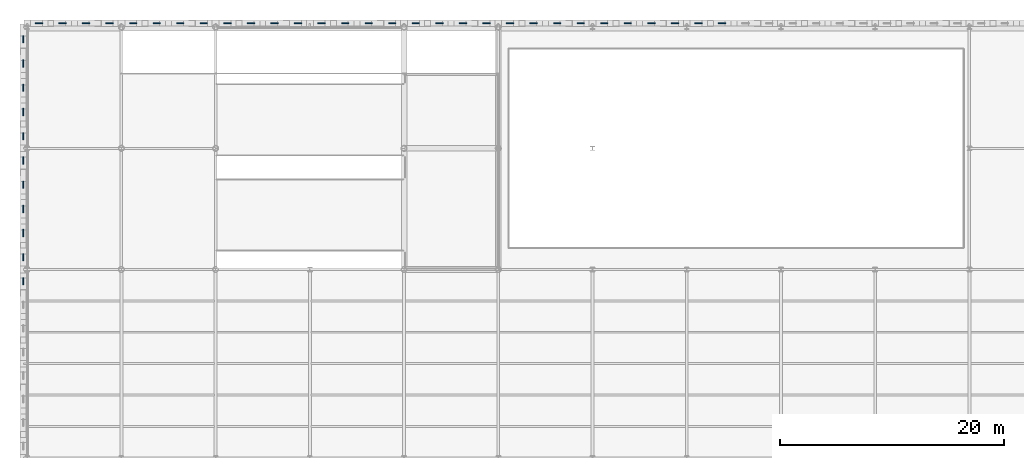
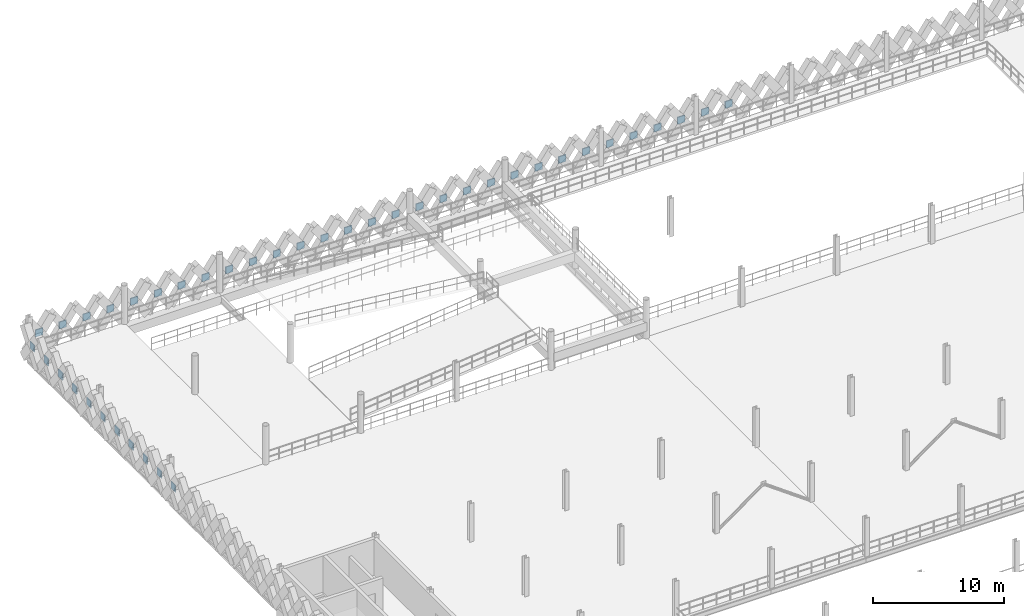
# One storey, part 59 of 79: 41 plates.
"""IFC4 building model written with IfcOpenShell, lengths in metres."""

from ifc_helpers import new_model, si_unit, direction, frame, origin, origin_2d, place, context, subcontext, project, spatial, rectangle, extrude, material, layer, layer_set, type_object, element, save


model = new_model("IFC4")

# Units and contexts
model_context = context("Model", 3, precision=1e-05, world=origin(), true_north=direction((0.0, 1.0)))
body_context = subcontext(model_context, "Body", "Model", "MODEL_VIEW")
ifc_project = project(units=[si_unit("LENGTHUNIT", "METRE"), si_unit("AREAUNIT", "SQUARE_METRE"), si_unit("VOLUMEUNIT", "CUBIC_METRE"), si_unit("PLANEANGLEUNIT", "RADIAN"), si_unit("MASSUNIT", "GRAM", prefix="KILO"), si_unit("THERMODYNAMICTEMPERATUREUNIT", "KELVIN"), si_unit("POWERUNIT", "WATT")], contexts=[model_context])

# Site, building, storey
site_placement = place(None, origin())
site = spatial("IfcSite", under=ifc_project, at=site_placement, CompositionType="ELEMENT")
building_placement = place(site_placement, origin())
building = spatial("IfcBuilding", under=site, at=building_placement, Name="Tembeka Court Mobility Hub", CompositionType="ELEMENT")
storey_placement = place(building_placement, frame((0.0, 0.0, 9.0)))
storey = spatial("IfcBuildingStorey", under=building, at=storey_placement, Name="L02", CompositionType="ELEMENT", Elevation=9.0)

# Plates
ifc_material = material(Name="Precast concrete C45/55", Category="concrete")
ifc_layer = layer(ifc_material, 0.090087890625)
ifc_layer_set = layer_set([ifc_layer], Name="Precast concrete C45/55")
plate_type = type_object("IfcPlateType", Name="PL-PC01", PredefinedType="SHEET", material=ifc_layer_set)
for number, where, z_axis, x_axis, name in (
    (1, (1.050048828125, 119.139892578125, 1.16015625), (0.0, 0.0, 1.0), (1.0, 0.0, 0.0), "Precast diamond lattice node plate PCN01 (L02-233)"),
    (2, (3.14990234375, 119.139892578125, 1.16015625), (0.0, 0.0, 1.0), (1.0, 0.0, 0.0), "Precast diamond lattice node plate PCN01 (L02-234)"),
    (3, (5.25, 119.139892578125, 1.16015625), (0.0, 0.0, 1.0), (1.0, 0.0, 0.0), "Precast diamond lattice node plate PCN01 (L02-235)"),
    (4, (7.35009765625, 119.139892578125, 1.16015625), (0.0, 0.0, 1.0), (1.0, 0.0, 0.0), "Precast diamond lattice node plate PCN01 (L02-236)"),
    (5, (9.449951171875, 119.139892578125, 1.16015625), (0.0, 0.0, 1.0), (1.0, 0.0, 0.0), "Precast diamond lattice node plate PCN01 (L02-237)"),
    (6, (11.550048828125, 119.139892578125, 1.16015625), (0.0, 0.0, 1.0), (1.0, 0.0, 0.0), "Precast diamond lattice node plate PCN01 (L02-238)"),
    (7, (13.64990234375, 119.139892578125, 1.16015625), (0.0, 0.0, 1.0), (1.0, 0.0, 0.0), "Precast diamond lattice node plate PCN01 (L02-239)"),
    (8, (15.75, 119.139892578125, 1.16015625), (0.0, 0.0, 1.0), (1.0, 0.0, 0.0), "Precast diamond lattice node plate PCN01 (L02-240)"),
    (9, (17.85009765625, 119.139892578125, 1.16015625), (0.0, 0.0, 1.0), (1.0, 0.0, 0.0), "Precast diamond lattice node plate PCN01 (L02-241)"),
    (10, (19.949951171875, 119.139892578125, 1.16015625), (0.0, 0.0, 1.0), (1.0, 0.0, 0.0), "Precast diamond lattice node plate PCN01 (L02-242)"),
    (11, (22.050048828125, 119.139892578125, 1.16015625), (0.0, 0.0, 1.0), (1.0, 0.0, 0.0), "Precast diamond lattice node plate PCN01 (L02-243)"),
    (12, (24.14990234375, 119.139892578125, 1.16015625), (0.0, 0.0, 1.0), (1.0, 0.0, 0.0), "Precast diamond lattice node plate PCN01 (L02-244)"),
    (13, (26.25, 119.139892578125, 1.16015625), (0.0, 0.0, 1.0), (1.0, 0.0, 0.0), "Precast diamond lattice node plate PCN01 (L02-245)"),
    (14, (28.35009765625, 119.139892578125, 1.16015625), (0.0, 0.0, 1.0), (1.0, 0.0, 0.0), "Precast diamond lattice node plate PCN01 (L02-246)"),
    (15, (30.449951171875, 119.139892578125, 1.16015625), (0.0, 0.0, 1.0), (1.0, 0.0, 0.0), "Precast diamond lattice node plate PCN01 (L02-247)"),
    (16, (32.550048828125, 119.139892578125, 1.16015625), (0.0, 0.0, 1.0), (1.0, 0.0, 0.0), "Precast diamond lattice node plate PCN01 (L02-248)"),
    (17, (34.64990234375, 119.139892578125, 1.16015625), (0.0, 0.0, 1.0), (1.0, 0.0, 0.0), "Precast diamond lattice node plate PCN01 (L02-249)"),
    (18, (36.75, 119.139892578125, 1.16015625), (0.0, 0.0, 1.0), (1.0, 0.0, 0.0), "Precast diamond lattice node plate PCN01 (L02-250)"),
    (19, (38.85009765625, 119.139892578125, 1.16015625), (0.0, 0.0, 1.0), (1.0, 0.0, 0.0), "Precast diamond lattice node plate PCN01 (L02-251)"),
    (20, (40.949951171875, 119.139892578125, 1.16015625), (0.0, 0.0, 1.0), (1.0, 0.0, 0.0), "Precast diamond lattice node plate PCN01 (L02-252)"),
    (21, (43.050048828125, 119.139892578125, 1.16015625), (0.0, 0.0, 1.0), (1.0, 0.0, 0.0), "Precast diamond lattice node plate PCN01 (L02-253)"),
    (22, (45.14990234375, 119.139892578125, 1.16015625), (0.0, 0.0, 1.0), (1.0, 0.0, 0.0), "Precast diamond lattice node plate PCN01 (L02-254)"),
    (23, (47.25, 119.139892578125, 1.16015625), (0.0, 0.0, 1.0), (1.0, 0.0, 0.0), "Precast diamond lattice node plate PCN01 (L02-255)"),
    (24, (49.35009765625, 119.139892578125, 1.16015625), (0.0, 0.0, 1.0), (1.0, 0.0, 0.0), "Precast diamond lattice node plate PCN01 (L02-256)"),
    (25, (51.449951171875, 119.139892578125, 1.16015625), (0.0, 0.0, 1.0), (1.0, 0.0, 0.0), "Precast diamond lattice node plate PCN01 (L02-257)"),
    (26, (53.550048828125, 119.139892578125, 1.16015625), (0.0, 0.0, 1.0), (1.0, 0.0, 0.0), "Precast diamond lattice node plate PCN01 (L02-258)"),
    (27, (55.64990234375, 119.139892578125, 1.16015625), (0.0, 0.0, 1.0), (1.0, 0.0, 0.0), "Precast diamond lattice node plate PCN01 (L02-259)"),
    (28, (57.75, 119.139892578125, 1.16015625), (0.0, 0.0, 1.0), (1.0, 0.0, 0.0), "Precast diamond lattice node plate PCN01 (L02-260)"),
    (29, (59.85009765625, 119.139892578125, 1.16015625), (0.0, 0.0, 1.0), (1.0, 0.0, 0.0), "Precast diamond lattice node plate PCN01 (L02-261)"),
    (30, (61.949951171875, 119.139892578125, 1.16015625), (0.0, 0.0, 1.0), (1.0, 0.0, 0.0), "Precast diamond lattice node plate PCN01 (L02-262)"),
):
    element("IfcPlate", number, at=place(storey_placement, frame(where, z_axis=z_axis, x_axis=x_axis)), inside=storey, type_object=plate_type, Name=name, PredefinedType="SHEET", context=body_context, shape_type="SweptSolid", body=[
        extrude(rectangle(XDim=0.64990234375, YDim=0.090087890625, at=origin_2d()), origin(), (0.0, 0.0, 1.0), 0.64990234375),
    ])
for number, where, z_axis, x_axis, name in (
    (31, (-0.340087890625, 96.14990234375, 1.16015625), (0.0, 0.0, 1.0), (1.0, 0.0, 0.0), "Precast diamond lattice node plate PCN01 (L02-322)"),
    (32, (-0.340087890625, 98.280029296875, 1.16015625), (0.0, 0.0, 1.0), (1.0, 0.0, 0.0), "Precast diamond lattice node plate PCN01 (L02-323)"),
    (33, (-0.340087890625, 100.43994140625, 1.16015625), (0.0, 0.0, 1.0), (1.0, 0.0, 0.0), "Precast diamond lattice node plate PCN01 (L02-324)"),
    (34, (-0.340087890625, 102.60009765625, 1.16015625), (0.0, 0.0, 1.0), (1.0, 0.0, 0.0), "Precast diamond lattice node plate PCN01 (L02-325)"),
    (35, (-0.340087890625, 104.760009765625, 1.16015625), (0.0, 0.0, 1.0), (1.0, 0.0, 0.0), "Precast diamond lattice node plate PCN01 (L02-326)"),
    (36, (-0.340087890625, 106.919921875, 1.16015625), (0.0, 0.0, 1.0), (1.0, 0.0, 0.0), "Precast diamond lattice node plate PCN01 (L02-327)"),
    (37, (-0.340087890625, 109.080078125, 1.16015625), (0.0, 0.0, 1.0), (1.0, 0.0, 0.0), "Precast diamond lattice node plate PCN01 (L02-328)"),
    (38, (-0.340087890625, 111.239990234375, 1.16015625), (0.0, 0.0, 1.0), (1.0, 0.0, 0.0), "Precast diamond lattice node plate PCN01 (L02-329)"),
    (39, (-0.340087890625, 113.39990234375, 1.16015625), (0.0, 0.0, 1.0), (1.0, 0.0, 0.0), "Precast diamond lattice node plate PCN01 (L02-330)"),
    (40, (-0.340087890625, 115.56005859375, 1.16015625), (0.0, 0.0, 1.0), (1.0, 0.0, 0.0), "Precast diamond lattice node plate PCN01 (L02-331)"),
    (41, (-0.340087890625, 117.719970703125, 1.16015625), (0.0, 0.0, 1.0), (1.0, 0.0, 0.0), "Precast diamond lattice node plate PCN01 (L02-332)"),
):
    element("IfcPlate", number, at=place(storey_placement, frame(where, z_axis=z_axis, x_axis=x_axis)), inside=storey, type_object=plate_type, Name=name, PredefinedType="SHEET", context=body_context, shape_type="SweptSolid", body=[
        extrude(rectangle(XDim=0.090087890625, YDim=0.64990234375, at=origin_2d()), origin(), (0.0, 0.0, 1.0), 0.64990234375),
    ])

save(model, "model.ifc")
